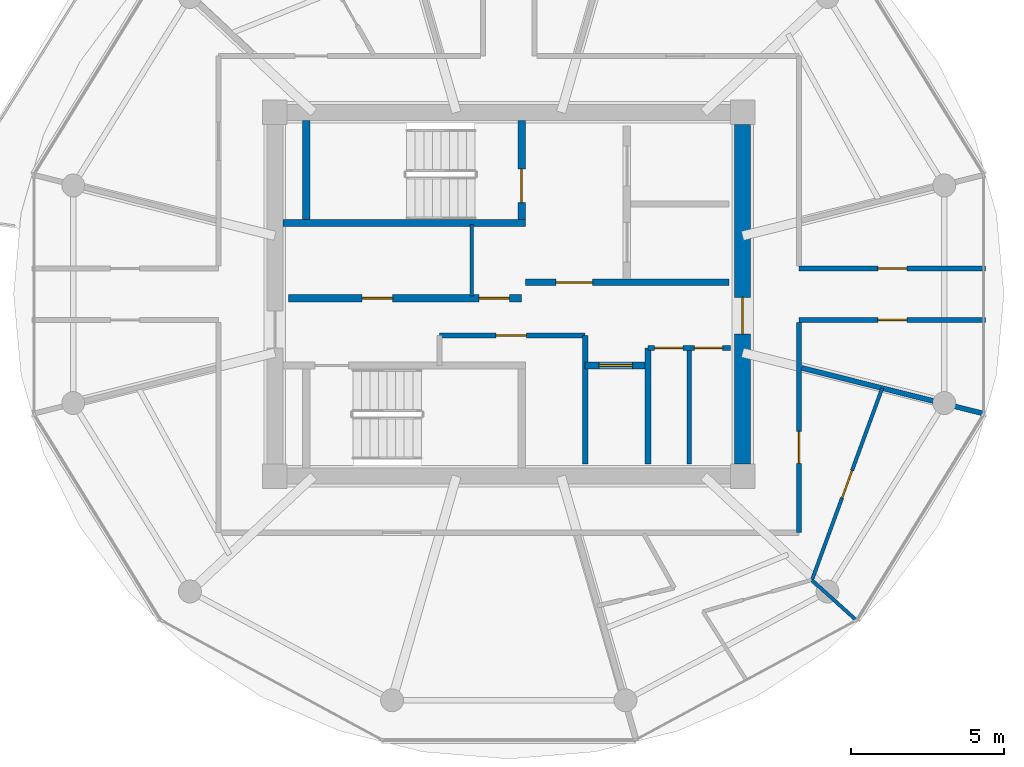
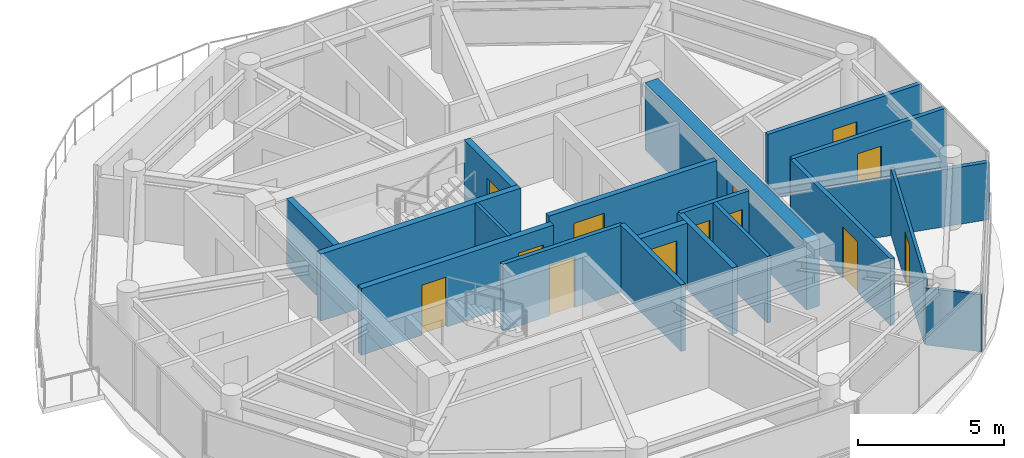
# One storey, part 12 of 19: 19 walls, 13 doors, 13 openings.
"""IFC4 building model written with IfcOpenShell, lengths in metres."""

from ifc_helpers import new_model, si_unit, direction, frame, frame_2d, origin, place, context, subcontext, project, spatial, rectangle, extrude, source, transform, mapped, material, layer, layer_set, type_object, type_shapes, element, fill, save


model = new_model("IFC4")

# Units and contexts
model_context = context("Model", 3, precision=1e-05, world=origin(), true_north=direction((0.0, 1.0)))
body_context = subcontext(model_context, "Body", "Model", "MODEL_VIEW")
ifc_project = project(units=[si_unit("LENGTHUNIT", "METRE"), si_unit("AREAUNIT", "SQUARE_METRE"), si_unit("VOLUMEUNIT", "CUBIC_METRE"), si_unit("PLANEANGLEUNIT", "RADIAN"), si_unit("MASSUNIT", "GRAM", prefix="KILO")], contexts=[model_context])

# Site, building, storey
site_placement = place(None, origin())
site = spatial("IfcSite", under=ifc_project, at=site_placement, CompositionType="ELEMENT")
building_placement = place(site_placement, origin())
building = spatial("IfcBuilding", under=site, at=building_placement, Name="Norrkilde Senior Care Towers", CompositionType="ELEMENT")
storey_placement = place(building_placement, frame((0.0, 0.0, 238.300048828125)))
storey = spatial("IfcBuildingStorey", under=building, at=storey_placement, Name="L74", CompositionType="ELEMENT", Elevation=238.300048828125)

# Wall, opening, door
ifc_material_1 = material(Name="Concrete C50/60", Category="concrete")
ifc_layer_1 = layer(ifc_material_1, 0.52001953125)
ifc_layer_set_1 = layer_set([ifc_layer_1], Name="Concrete C50/60")
wall_type_1 = type_object("IfcWallType", Name="Core Shear Wall Z4 520", PredefinedType="SHEAR", material=ifc_layer_set_1)
shared_shape_1 = source(origin(), body_context, "Body", "SweptSolid", [
    extrude(rectangle(XDim=11.10009765625, YDim=0.52001953125, at=frame_2d((5.550048828125, 0.0))), origin(), (0.0, 0.0, 1.0), 2.81005859375),
])
type_shapes(wall_type_1, [shared_shape_1])
wall_1_placement = place(storey_placement, frame((35.64990234375, 5.550048828125, 0.0), z_axis=(0.0, 0.0, 1.0), x_axis=(0.0, -1.0, 0.0)))
wall_1 = element("IfcWall", 1, at=wall_1_placement, inside=storey, type_object=wall_type_1, Name="L74 Core E East Shear Wall", PredefinedType="SHEAR", context=body_context, shape_type="MappedRepresentation", body=[
    mapped(shared_shape_1, transform((0.0, 0.0, 0.0), x_axis=(1.0, 0.0, 0.0), y_axis=(0.0, 1.0, 0.0), z_axis=(0.0, 0.0, 1.0), scale=1.0)),
])
opening_1_placement = place(wall_1_placement, frame((5.64990234375, 0.0, 0.0)))
opening_1 = element("IfcOpeningElement", 2, at=opening_1_placement, cuts=wall_1, Name="Opening D-04", PredefinedType="OPENING", context=body_context, shape_type="SweptSolid", body=[
    extrude(rectangle(XDim=1.199951171875, YDim=2.14990234375, at=frame_2d((0.60009765625, 1.074951171875))), frame((0.0, 0.27001953125, 0.0), z_axis=(0.0, -1.0, 0.0), x_axis=(1.0, 0.0, 0.0)), (0.0, 0.0, 1.0), 0.5400390625),
])
ifc_material_2 = material(Name="Galvanised Painted Steel", Category="steel")
door_type_1 = type_object("IfcDoorType", Name="Firefighting Lobby Fire Door 1200x2150", OperationType="NOTDEFINED", PredefinedType="DOOR", material=ifc_material_2)
shared_shape_2 = source(origin(), body_context, "Body", "SweptSolid", [
    extrude(rectangle(XDim=1.199951171875, YDim=2.14990234375, at=frame_2d((0.60009765625, 1.074951171875))), frame((0.0, 0.02490234375, 0.0), z_axis=(0.0, -1.0, 0.0), x_axis=(1.0, 0.0, 0.0)), (0.0, 0.0, 1.0), 0.050048828125),
])
type_shapes(door_type_1, [shared_shape_2])
door_1_placement = place(opening_1_placement, frame((1.199951171875, 0.0, 0.0), z_axis=(0.0, 0.0, 1.0), x_axis=(-1.0, 0.0, 0.0)))
door_1 = element("IfcDoor", 3, at=door_1_placement, inside=storey, type_object=door_type_1, Name="L74 Core E East Portal Door", OperationType="SINGLE_SWING_RIGHT", OverallHeight=2.14990234375, OverallWidth=1.199951171875, PredefinedType="DOOR", context=body_context, shape_type="MappedRepresentation", body=[
    mapped(shared_shape_2, transform((0.0, 0.0, 0.0), x_axis=(1.0, 0.0, 0.0), y_axis=(0.0, 1.0, 0.0), z_axis=(0.0, 0.0, 1.0), scale=1.0)),
])
fill(opening_1, door_1)

ifc_material_3 = material(Name="Concrete C45/55", Category="concrete")
ifc_layer_2 = layer(ifc_material_3, 0.2099609375)
ifc_layer_set_2 = layer_set([ifc_layer_2], Name="Concrete C45/55")
wall_type_2 = type_object("IfcWallType", Name="Firefighting Lobby Wall 210", PredefinedType="PARTITIONING", material=ifc_layer_set_2)
shared_shape_3 = source(origin(), body_context, "Body", "SweptSolid", [
    extrude(rectangle(XDim=6.659912109375, YDim=0.2099609375, at=frame_2d((3.330078125, 0.0))), origin(), (0.0, 0.0, 1.0), 2.794921875),
])
type_shapes(wall_type_2, [shared_shape_3])
wall_2_placement = place(storey_placement, frame((28.5400390625, 0.389892578125, 0.0), z_axis=(0.0, 0.0, 1.0), x_axis=(1.0, 0.0, 0.0)))
wall_2 = element("IfcWall", 4, at=wall_2_placement, inside=storey, type_object=wall_type_2, Name="WL-INT-L74-E-FFLS", PredefinedType="PARTITIONING", context=body_context, shape_type="MappedRepresentation", body=[
    mapped(shared_shape_3, transform((0.0, 0.0, 0.0), x_axis=(1.0, 0.0, 0.0), y_axis=(0.0, 1.0, 0.0), z_axis=(0.0, 0.0, 1.0), scale=1.0)),
])
opening_2_placement = place(wall_2_placement, frame((1.0, 0.0, 0.0)))
opening_2 = element("IfcOpeningElement", 5, at=opening_2_placement, cuts=wall_2, Name="Opening D-04", PredefinedType="OPENING", context=body_context, shape_type="SweptSolid", body=[
    extrude(rectangle(XDim=1.199951171875, YDim=2.14990234375, at=frame_2d((0.60009765625, 1.074951171875))), frame((0.0, 0.114990234375, 0.0), z_axis=(0.0, -1.0, 0.0), x_axis=(1.0, 0.0, 0.0)), (0.0, 0.0, 1.0), 0.22998046875),
])
door_2_placement = place(opening_2_placement, frame((1.199951171875, 0.0, 0.0), z_axis=(0.0, 0.0, 1.0), x_axis=(-1.0, 0.0, 0.0)))
door_2 = element("IfcDoor", 6, at=door_2_placement, inside=storey, type_object=door_type_1, Name="L74 Firefighting Lobby E Door", OperationType="SINGLE_SWING_LEFT", OverallHeight=2.14990234375, OverallWidth=1.199951171875, PredefinedType="DOOR", context=body_context, shape_type="MappedRepresentation", body=[
    mapped(shared_shape_2, transform((0.0, 0.0, 0.0), x_axis=(1.0, 0.0, 0.0), y_axis=(0.0, 1.0, 0.0), z_axis=(0.0, 0.0, 1.0), scale=1.0)),
])
fill(opening_2, door_2)

# Wall, openings, doors
ifc_layer_3 = layer(ifc_material_3, 0.239990234375)
ifc_layer_set_3 = layer_set([ifc_layer_3], Name="Concrete C45/55")
wall_type_3 = type_object("IfcWallType", Name="Lift and Plant Rated Enclosure Partition 240", PredefinedType="PARTITIONING", material=ifc_layer_set_3)
shared_shape_4 = source(origin(), body_context, "Body", "SweptSolid", [
    extrude(rectangle(XDim=7.619873046875, YDim=0.239990234375, at=frame_2d((3.81005859375, 0.0))), origin(), (0.0, 0.0, 1.0), 2.794921875),
])
wall_3_placement = place(storey_placement, frame((20.800048828125, -0.1298828125, 0.0), z_axis=(0.0, 0.0, 1.0), x_axis=(1.0, 0.0, 0.0)))
wall_3 = element("IfcWall", 7, at=wall_3_placement, inside=storey, type_object=wall_type_3, Name="WL-INT-L74-E-PKAS", PredefinedType="PARTITIONING", context=body_context, shape_type="MappedRepresentation", body=[
    mapped(shared_shape_4, transform((0.0, 0.0, 0.0), x_axis=(1.0, 0.0, 0.0), y_axis=(0.0, 1.0, 0.0), z_axis=(0.0, 0.0, 1.0), scale=1.0)),
])
opening_3_placement = place(wall_3_placement, frame((6.219970703125, 0.0, 0.0)))
opening_3 = element("IfcOpeningElement", 8, at=opening_3_placement, cuts=wall_3, Name="Opening D-10", PredefinedType="OPENING", context=body_context, shape_type="SweptSolid", body=[
    extrude(rectangle(XDim=1.0, YDim=2.10009765625, at=frame_2d((0.5, 1.050048828125))), frame((0.0, 0.1298828125, 0.0), z_axis=(0.0, -1.0, 0.0), x_axis=(1.0, 0.0, 0.0)), (0.0, 0.0, 1.0), 0.260009765625),
])
opening_4_placement = place(wall_3_placement, frame((2.39990234375, 0.0, 0.0)))
opening_4 = element("IfcOpeningElement", 9, at=opening_4_placement, cuts=wall_3, Name="Opening D-10", PredefinedType="OPENING", context=body_context, shape_type="SweptSolid", body=[
    extrude(rectangle(XDim=1.0, YDim=2.10009765625, at=frame_2d((0.5, 1.050048828125))), frame((0.0, 0.1298828125, 0.0), z_axis=(0.0, -1.0, 0.0), x_axis=(1.0, 0.0, 0.0)), (0.0, 0.0, 1.0), 0.260009765625),
])
door_type_2 = type_object("IfcDoorType", Name="Plant and Riser Rated Door 1000x2100", OperationType="NOTDEFINED", PredefinedType="DOOR", material=ifc_material_2)
shared_shape_5 = source(origin(), body_context, "Body", "SweptSolid", [
    extrude(rectangle(XDim=1.0, YDim=2.10009765625, at=frame_2d((0.5, 1.050048828125))), frame((0.0, 0.02490234375, 0.0), z_axis=(0.0, -1.0, 0.0), x_axis=(1.0, 0.0, 0.0)), (0.0, 0.0, 1.0), 0.050048828125),
])
type_shapes(door_type_2, [shared_shape_5])
door_3_placement = place(opening_3_placement, frame((1.0, 0.0, 0.0), z_axis=(0.0, 0.0, 1.0), x_axis=(-1.0, 0.0, 0.0)))
door_3 = element("IfcDoor", 10, at=door_3_placement, inside=storey, type_object=door_type_2, Name="L74 Electrical Riser E Door", OperationType="SINGLE_SWING_LEFT", OverallHeight=2.10009765625, OverallWidth=1.0, PredefinedType="DOOR", context=body_context, shape_type="MappedRepresentation", body=[
    mapped(shared_shape_5, transform((0.0, 0.0, 0.0), x_axis=(1.0, 0.0, 0.0), y_axis=(0.0, 1.0, 0.0), z_axis=(0.0, 0.0, 1.0), scale=1.0)),
])
fill(opening_3, door_3)
door_4_placement = place(opening_4_placement, frame((1.0, 0.0, 0.0), z_axis=(0.0, 0.0, 1.0), x_axis=(-1.0, 0.0, 0.0)))
door_4 = element("IfcDoor", 11, at=door_4_placement, inside=storey, type_object=door_type_2, Name="L74 Clean Supply Store E Door", OperationType="SINGLE_SWING_LEFT", OverallHeight=2.10009765625, OverallWidth=1.0, PredefinedType="DOOR", context=body_context, shape_type="MappedRepresentation", body=[
    mapped(shared_shape_5, transform((0.0, 0.0, 0.0), x_axis=(1.0, 0.0, 0.0), y_axis=(0.0, 1.0, 0.0), z_axis=(0.0, 0.0, 1.0), scale=1.0)),
])
fill(opening_4, door_4)

# Walls
ifc_material_4 = material(Name="Gypsum Acoustic Board")
ifc_layer_4 = layer(ifc_material_4, 0.114990234375)
ifc_layer_set_4 = layer_set([ifc_layer_4], Name="Gypsum Acoustic Board")
wall_type_4 = type_object("IfcWallType", Name="Internal Room Partition 115", PredefinedType="PARTITIONING", material=ifc_layer_set_4)
shared_shape_6 = source(origin(), body_context, "Body", "SweptSolid", [
    extrude(rectangle(XDim=2.330078125, YDim=0.114990234375, at=frame_2d((1.1650390625, 0.0))), origin(), (0.0, 0.0, 1.0), 2.794921875),
])
wall_4_placement = place(storey_placement, frame((26.7900390625, -0.050048828125, 0.0), z_axis=(0.0, 0.0, 1.0), x_axis=(0.0, 1.0, 0.0)))
element("IfcWall", 12, at=wall_4_placement, inside=storey, type_object=wall_type_4, Name="WL-INT-L74-E-RISW", PredefinedType="PARTITIONING", context=body_context, shape_type="MappedRepresentation", body=[
    mapped(shared_shape_6, transform((0.0, 0.0, 0.0), x_axis=(1.0, 0.0, 0.0), y_axis=(0.0, 1.0, 0.0), z_axis=(0.0, 0.0, 1.0), scale=1.0)),
])
ifc_layer_5 = layer(ifc_material_3, 0.199951171875)
ifc_layer_set_5 = layer_set([ifc_layer_5], Name="Concrete C45/55")
wall_type_5 = type_object("IfcWallType", Name="Shaft Division and Plant Partition 200", PredefinedType="PARTITIONING", material=ifc_layer_set_5)
shared_shape_7 = source(origin(), body_context, "Body", "SweptSolid", [
    extrude(rectangle(XDim=3.800048828125, YDim=0.199951171875, at=frame_2d((1.89990234375, 0.0))), origin(), (0.0, 0.0, 1.0), 2.794921875),
])
type_shapes(wall_type_5, [shared_shape_7])
wall_5_placement = place(storey_placement, frame((32.550048828125, -5.550048828125, 0.0), z_axis=(0.0, 0.0, 1.0), x_axis=(0.0, 1.0, 0.0)))
element("IfcWall", 13, at=wall_5_placement, inside=storey, type_object=wall_type_5, Name="WL-INT-L74-E-PKBE", PredefinedType="PARTITIONING", context=body_context, shape_type="MappedRepresentation", body=[
    mapped(shared_shape_7, transform((0.0, 0.0, 0.0), x_axis=(1.0, 0.0, 0.0), y_axis=(0.0, 1.0, 0.0), z_axis=(0.0, 0.0, 1.0), scale=1.0)),
])

# Wall, openings, doors
ifc_layer_6 = layer(ifc_material_4, 0.1650390625)
ifc_layer_set_6 = layer_set([ifc_layer_6], Name="Gypsum Acoustic Board")
wall_type_6 = type_object("IfcWallType", Name="Corridor Rated Partition 165", PredefinedType="PARTITIONING", material=ifc_layer_set_6)
shared_shape_8 = source(origin(), body_context, "Body", "SweptSolid", [
    extrude(rectangle(XDim=2.699951171875, YDim=0.1650390625, at=frame_2d((1.35009765625, 0.0))), origin(), (0.0, 0.0, 1.0), 2.794921875),
])
wall_6_placement = place(storey_placement, frame((32.550048828125, -1.75, 0.0), z_axis=(0.0, 0.0, 1.0), x_axis=(1.0, 0.0, 0.0)))
wall_6 = element("IfcWall", 14, at=wall_6_placement, inside=storey, type_object=wall_type_6, Name="WL-INT-L74-E-CSN", PredefinedType="PARTITIONING", context=body_context, shape_type="MappedRepresentation", body=[
    mapped(shared_shape_8, transform((0.0, 0.0, 0.0), x_axis=(1.0, 0.0, 0.0), y_axis=(0.0, 1.0, 0.0), z_axis=(0.0, 0.0, 1.0), scale=1.0)),
])
opening_5_placement = place(wall_6_placement, frame((0.222412109375, 0.0, 0.0)))
opening_5 = element("IfcOpeningElement", 15, at=opening_5_placement, cuts=wall_6, Name="Opening D-12", PredefinedType="OPENING", context=body_context, shape_type="SweptSolid", body=[
    extrude(rectangle(XDim=0.925048828125, YDim=2.10009765625, at=frame_2d((0.46240234375, 1.050048828125))), frame((0.0, 0.092529296875, 0.0), z_axis=(0.0, -1.0, 0.0), x_axis=(1.0, 0.0, 0.0)), (0.0, 0.0, 1.0), 0.18505859375),
])
opening_6_placement = place(wall_6_placement, frame((1.5224609375, 0.0, 0.0)))
opening_6 = element("IfcOpeningElement", 16, at=opening_6_placement, cuts=wall_6, Name="Opening D-12", PredefinedType="OPENING", context=body_context, shape_type="SweptSolid", body=[
    extrude(rectangle(XDim=0.925048828125, YDim=2.10009765625, at=frame_2d((0.46240234375, 1.050048828125))), frame((0.0, 0.092529296875, 0.0), z_axis=(0.0, -1.0, 0.0), x_axis=(1.0, 0.0, 0.0)), (0.0, 0.0, 1.0), 0.18505859375),
])
door_type_3 = type_object("IfcDoorType", Name="Core Wet Room Rated Door 925x2100", OperationType="NOTDEFINED", PredefinedType="DOOR", material=ifc_material_2)
shared_shape_9 = source(origin(), body_context, "Body", "SweptSolid", [
    extrude(rectangle(XDim=0.925048828125, YDim=2.10009765625, at=frame_2d((0.46240234375, 1.050048828125))), frame((0.0, 0.02490234375, 0.0), z_axis=(0.0, -1.0, 0.0), x_axis=(1.0, 0.0, 0.0)), (0.0, 0.0, 1.0), 0.050048828125),
])
type_shapes(door_type_3, [shared_shape_9])
door_5_placement = place(opening_5_placement, origin())
door_5 = element("IfcDoor", 17, at=door_5_placement, inside=storey, type_object=door_type_3, Name="L74 Staff Accessible WC E Door", OperationType="SINGLE_SWING_LEFT", OverallHeight=2.10009765625, OverallWidth=0.925048828125, PredefinedType="DOOR", context=body_context, shape_type="MappedRepresentation", body=[
    mapped(shared_shape_9, transform((0.0, 0.0, 0.0), x_axis=(1.0, 0.0, 0.0), y_axis=(0.0, 1.0, 0.0), z_axis=(0.0, 0.0, 1.0), scale=1.0)),
])
fill(opening_5, door_5)
door_6_placement = place(opening_6_placement, origin())
door_6 = element("IfcDoor", 18, at=door_6_placement, inside=storey, type_object=door_type_3, Name="L74 Housekeeping Store E Door", OperationType="SINGLE_SWING_RIGHT", OverallHeight=2.10009765625, OverallWidth=0.925048828125, PredefinedType="DOOR", context=body_context, shape_type="MappedRepresentation", body=[
    mapped(shared_shape_9, transform((0.0, 0.0, 0.0), x_axis=(1.0, 0.0, 0.0), y_axis=(0.0, 1.0, 0.0), z_axis=(0.0, 0.0, 1.0), scale=1.0)),
])
fill(opening_6, door_6)

# Wall
ifc_layer_7 = layer(ifc_material_4, 0.139892578125)
ifc_layer_set_7 = layer_set([ifc_layer_7], Name="Gypsum Acoustic Board")
wall_type_7 = type_object("IfcWallType", Name="En-suite Wet Room Wall 140", PredefinedType="PARTITIONING", material=ifc_layer_set_7)
shared_shape_10 = source(origin(), body_context, "Body", "SweptSolid", [
    extrude(rectangle(XDim=3.800048828125, YDim=0.139892578125, at=frame_2d((1.89990234375, 0.0))), origin(), (0.0, 0.0, 1.0), 2.794921875),
])
type_shapes(wall_type_7, [shared_shape_10])
wall_7_placement = place(storey_placement, frame((33.89990234375, -5.550048828125, 0.0), z_axis=(0.0, 0.0, 1.0), x_axis=(0.0, 1.0, 0.0)))
element("IfcWall", 19, at=wall_7_placement, inside=storey, type_object=wall_type_7, Name="WL-INT-L74-E-CS1V", PredefinedType="PARTITIONING", context=body_context, shape_type="MappedRepresentation", body=[
    mapped(shared_shape_10, transform((0.0, 0.0, 0.0), x_axis=(1.0, 0.0, 0.0), y_axis=(0.0, 1.0, 0.0), z_axis=(0.0, 0.0, 1.0), scale=1.0)),
])

# Wall, opening, door
shared_shape_11 = source(origin(), body_context, "Body", "SweptSolid", [
    extrude(rectangle(XDim=2.050048828125, YDim=0.239990234375, at=frame_2d((1.02490234375, 0.0))), origin(), (0.0, 0.0, 1.0), 2.794921875),
])
type_shapes(wall_type_3, [shared_shape_4, shared_shape_11])
wall_8_placement = place(storey_placement, frame((30.5, -2.330078125, 0.0), z_axis=(0.0, 0.0, 1.0), x_axis=(1.0, 0.0, 0.0)))
wall_8 = element("IfcWall", 20, at=wall_8_placement, inside=storey, type_object=wall_type_3, Name="WL-INT-L74-E-PL4N", PredefinedType="PARTITIONING", context=body_context, shape_type="MappedRepresentation", body=[
    mapped(shared_shape_11, transform((0.0, 0.0, 0.0), x_axis=(1.0, 0.0, 0.0), y_axis=(0.0, 1.0, 0.0), z_axis=(0.0, 0.0, 1.0), scale=1.0)),
])
opening_7_placement = place(wall_8_placement, frame((0.449951171875, 0.0, 0.0)))
opening_7 = element("IfcOpeningElement", 21, at=opening_7_placement, cuts=wall_8, Name="Opening LD-01", PredefinedType="OPENING", context=body_context, shape_type="SweptSolid", body=[
    extrude(rectangle(XDim=1.10009765625, YDim=2.199951171875, at=frame_2d((0.550048828125, 1.10009765625))), frame((0.0, 0.1298828125, 0.0), z_axis=(0.0, -1.0, 0.0), x_axis=(1.0, 0.0, 0.0)), (0.0, 0.0, 1.0), 0.260009765625),
])
ifc_material_5 = material(Name="Stainless Steel", Category="steel")
door_type_4 = type_object("IfcDoorType", Name="Lift Landing Sliding Door 1100x2200", OperationType="NOTDEFINED", PredefinedType="DOOR", material=ifc_material_5)
shared_shape_12 = source(origin(), body_context, "Body", "SweptSolid", [
    extrude(rectangle(XDim=1.10009765625, YDim=2.199951171875, at=frame_2d((0.550048828125, 1.10009765625))), frame((0.0, 0.02490234375, 0.0), z_axis=(0.0, -1.0, 0.0), x_axis=(1.0, 0.0, 0.0)), (0.0, 0.0, 1.0), 0.050048828125),
])
type_shapes(door_type_4, [shared_shape_12])
door_7_placement = place(opening_7_placement, frame((1.10009765625, 0.0, 0.0), z_axis=(0.0, 0.0, 1.0), x_axis=(-1.0, 0.0, 0.0)))
door_7 = element("IfcDoor", 22, at=door_7_placement, inside=storey, type_object=door_type_4, Name="L74 Passenger Lift E4 Landing Door", OperationType="SLIDING_TO_RIGHT", OverallHeight=2.199951171875, OverallWidth=1.10009765625, PredefinedType="DOOR", context=body_context, shape_type="MappedRepresentation", body=[
    mapped(shared_shape_12, transform((0.0, 0.0, 0.0), x_axis=(1.0, 0.0, 0.0), y_axis=(0.0, 1.0, 0.0), z_axis=(0.0, 0.0, 1.0), scale=1.0)),
])
fill(opening_7, door_7)

# Wall
ifc_layer_8 = layer(ifc_material_3, 0.179931640625)
ifc_layer_set_8 = layer_set([ifc_layer_8], Name="Concrete C45/55")
wall_type_8 = type_object("IfcWallType", Name="Hoistway Division Rated Partition 180", PredefinedType="PARTITIONING", material=ifc_layer_set_8)
shared_shape_13 = source(origin(), body_context, "Body", "SweptSolid", [
    extrude(rectangle(XDim=4.199951171875, YDim=0.179931640625, at=frame_2d((2.10009765625, 0.0))), origin(), (0.0, 0.0, 1.0), 2.794921875),
])
type_shapes(wall_type_8, [shared_shape_13])
wall_9_placement = place(storey_placement, frame((30.5, -5.550048828125, 0.0), z_axis=(0.0, 0.0, 1.0), x_axis=(0.0, 1.0, 0.0)))
element("IfcWall", 23, at=wall_9_placement, inside=storey, type_object=wall_type_8, Name="WL-INT-L74-E-PL4W", PredefinedType="PARTITIONING", context=body_context, shape_type="MappedRepresentation", body=[
    mapped(shared_shape_13, transform((0.0, 0.0, 0.0), x_axis=(1.0, 0.0, 0.0), y_axis=(0.0, 1.0, 0.0), z_axis=(0.0, 0.0, 1.0), scale=1.0)),
])

# Wall, opening, door
shared_shape_14 = source(origin(), body_context, "Body", "SweptSolid", [
    extrude(rectangle(XDim=4.77001953125, YDim=0.1650390625, at=frame_2d((2.385009765625, 0.0))), origin(), (0.0, 0.0, 1.0), 2.794921875),
])
wall_10_placement = place(storey_placement, frame((25.72998046875, -1.35009765625, 0.0), z_axis=(0.0, 0.0, 1.0), x_axis=(1.0, 0.0, 0.0)))
wall_10 = element("IfcWall", 24, at=wall_10_placement, inside=storey, type_object=wall_type_6, Name="WL-INT-L74-E-FR2N", PredefinedType="PARTITIONING", context=body_context, shape_type="MappedRepresentation", body=[
    mapped(shared_shape_14, transform((0.0, 0.0, 0.0), x_axis=(1.0, 0.0, 0.0), y_axis=(0.0, 1.0, 0.0), z_axis=(0.0, 0.0, 1.0), scale=1.0)),
])
opening_8_placement = place(wall_10_placement, frame((1.85009765625, 0.0, 0.0)))
opening_8 = element("IfcOpeningElement", 25, at=opening_8_placement, cuts=wall_10, Name="Opening D-10", PredefinedType="OPENING", context=body_context, shape_type="SweptSolid", body=[
    extrude(rectangle(XDim=1.0, YDim=2.10009765625, at=frame_2d((0.5, 1.050048828125))), frame((0.0, 0.092529296875, 0.0), z_axis=(0.0, -1.0, 0.0), x_axis=(1.0, 0.0, 0.0)), (0.0, 0.0, 1.0), 0.18505859375),
])
door_8_placement = place(opening_8_placement, origin())
door_8 = element("IfcDoor", 26, at=door_8_placement, inside=storey, type_object=door_type_2, Name="L74 Core Pantry E Door", OperationType="SINGLE_SWING_RIGHT", OverallHeight=2.10009765625, OverallWidth=1.0, PredefinedType="DOOR", context=body_context, shape_type="MappedRepresentation", body=[
    mapped(shared_shape_5, transform((0.0, 0.0, 0.0), x_axis=(1.0, 0.0, 0.0), y_axis=(0.0, 1.0, 0.0), z_axis=(0.0, 0.0, 1.0), scale=1.0)),
])
fill(opening_8, door_8)

shared_shape_15 = source(origin(), body_context, "Body", "SweptSolid", [
    extrude(rectangle(XDim=6.880126953125, YDim=0.1650390625, at=frame_2d((3.43994140625, 0.0))), origin(), (0.0, 0.0, 1.0), 2.794921875),
])
wall_11_placement = place(storey_placement, frame((37.5, -0.919921875, 0.0), z_axis=(0.0, 0.0, 1.0), x_axis=(0.0, -1.0, 0.0)))
wall_11 = element("IfcWall", 27, at=wall_11_placement, inside=storey, type_object=wall_type_6, Name="WL-INT-L74-E-CRW-E-1", PredefinedType="PARTITIONING", context=body_context, shape_type="MappedRepresentation", body=[
    mapped(shared_shape_15, transform((0.0, 0.0, 0.0), x_axis=(1.0, 0.0, 0.0), y_axis=(0.0, 1.0, 0.0), z_axis=(0.0, 0.0, 1.0), scale=1.0)),
])
opening_9_placement = place(wall_11_placement, frame((3.564208984375, 0.0, 0.0)))
opening_9 = element("IfcOpeningElement", 28, at=opening_9_placement, cuts=wall_11, Name="Opening D-06", PredefinedType="OPENING", context=body_context, shape_type="SweptSolid", body=[
    extrude(rectangle(XDim=1.050048828125, YDim=2.14990234375, at=frame_2d((0.52490234375, 1.074951171875))), frame((0.0, 0.092529296875, 0.0), z_axis=(0.0, -1.0, 0.0), x_axis=(1.0, 0.0, 0.0)), (0.0, 0.0, 1.0), 0.18505859375),
])
ifc_material_6 = material(Name="Nordic Ash Timber", Category="wood")
door_type_5 = type_object("IfcDoorType", Name="Apartment Entrance Fire Door 1050x2150", OperationType="NOTDEFINED", PredefinedType="DOOR", material=ifc_material_6)
shared_shape_16 = source(origin(), body_context, "Body", "SweptSolid", [
    extrude(rectangle(XDim=1.050048828125, YDim=2.14990234375, at=frame_2d((0.52490234375, 1.074951171875))), frame((0.0, 0.02490234375, 0.0), z_axis=(0.0, -1.0, 0.0), x_axis=(1.0, 0.0, 0.0)), (0.0, 0.0, 1.0), 0.050048828125),
])
type_shapes(door_type_5, [shared_shape_16])
door_9_placement = place(opening_9_placement, frame((1.050048828125, 0.0, 0.0), z_axis=(0.0, 0.0, 1.0), x_axis=(-1.0, 0.0, 0.0)))
door_9 = element("IfcDoor", 29, at=door_9_placement, inside=storey, type_object=door_type_5, Name="Apartment 74E Entrance Door", OperationType="SINGLE_SWING_RIGHT", OverallHeight=2.14990234375, OverallWidth=1.050048828125, PredefinedType="DOOR", context=body_context, shape_type="MappedRepresentation", body=[
    mapped(shared_shape_16, transform((0.0, 0.0, 0.0), x_axis=(1.0, 0.0, 0.0), y_axis=(0.0, 1.0, 0.0), z_axis=(0.0, 0.0, 1.0), scale=1.0)),
])
fill(opening_9, door_9)

# Walls
ifc_layer_9 = layer(ifc_material_3, 0.239990234375)
ifc_layer_set_9 = layer_set([ifc_layer_9], Name="Concrete C45/55")
wall_type_9 = type_object("IfcWallType", Name="Shaft and Stair Enclosure Wall 240", PredefinedType="PARTITIONING", material=ifc_layer_set_9)
shared_shape_17 = source(origin(), body_context, "Body", "SweptSolid", [
    extrude(rectangle(XDim=7.929931640625, YDim=0.239990234375, at=frame_2d((3.96484375, 0.0))), origin(), (0.0, 0.0, 1.0), 2.81005859375),
])
wall_12_placement = place(storey_placement, frame((20.610107421875, 2.330078125, 0.0), z_axis=(0.0, 0.0, 1.0), x_axis=(1.0, 0.0, 0.0)))
element("IfcWall", 30, at=wall_12_placement, inside=storey, type_object=wall_type_9, Name="WL-INT-L74-E-ST1S", PredefinedType="PARTITIONING", context=body_context, shape_type="MappedRepresentation", body=[
    mapped(shared_shape_17, transform((0.0, 0.0, 0.0), x_axis=(1.0, 0.0, 0.0), y_axis=(0.0, 1.0, 0.0), z_axis=(0.0, 0.0, 1.0), scale=1.0)),
])
shared_shape_18 = source(origin(), body_context, "Body", "SweptSolid", [
    extrude(rectangle(XDim=3.239990234375, YDim=0.239990234375, at=frame_2d((1.6201171875, 0.0))), origin(), (0.0, 0.0, 1.0), 2.81005859375),
])
type_shapes(wall_type_9, [shared_shape_17, shared_shape_18])
wall_13_placement = place(storey_placement, frame((21.3798828125, 2.449951171875, 0.0), z_axis=(0.0, 0.0, 1.0), x_axis=(0.0, 1.0, 0.0)))
element("IfcWall", 31, at=wall_13_placement, inside=storey, type_object=wall_type_9, Name="WL-INT-L74-E-ST1W", PredefinedType="PARTITIONING", context=body_context, shape_type="MappedRepresentation", body=[
    mapped(shared_shape_18, transform((0.0, 0.0, 0.0), x_axis=(1.0, 0.0, 0.0), y_axis=(0.0, 1.0, 0.0), z_axis=(0.0, 0.0, 1.0), scale=1.0)),
])

# Wall, opening, door
wall_14_placement = place(storey_placement, frame((28.419921875, 2.449951171875, 0.0), z_axis=(0.0, 0.0, 1.0), x_axis=(0.0, 1.0, 0.0)))
wall_14 = element("IfcWall", 32, at=wall_14_placement, inside=storey, type_object=wall_type_9, Name="WL-INT-L74-E-ST1E", PredefinedType="PARTITIONING", context=body_context, shape_type="MappedRepresentation", body=[
    mapped(shared_shape_18, transform((0.0, 0.0, 0.0), x_axis=(1.0, 0.0, 0.0), y_axis=(0.0, 1.0, 0.0), z_axis=(0.0, 0.0, 1.0), scale=1.0)),
])
opening_10_placement = place(wall_14_placement, frame((0.550048828125, 0.0, 0.0)))
opening_10 = element("IfcOpeningElement", 33, at=opening_10_placement, cuts=wall_14, Name="Opening D-03", PredefinedType="OPENING", context=body_context, shape_type="SweptSolid", body=[
    extrude(rectangle(XDim=1.10009765625, YDim=2.14990234375, at=frame_2d((0.550048828125, 1.074951171875))), frame((0.0, 0.1298828125, 0.0), z_axis=(0.0, -1.0, 0.0), x_axis=(1.0, 0.0, 0.0)), (0.0, 0.0, 1.0), 0.260009765625),
])
door_type_6 = type_object("IfcDoorType", Name="Stairwell Protected Fire Door 1100x2150", OperationType="NOTDEFINED", PredefinedType="DOOR", material=ifc_material_2)
shared_shape_19 = source(origin(), body_context, "Body", "SweptSolid", [
    extrude(rectangle(XDim=1.10009765625, YDim=2.14990234375, at=frame_2d((0.550048828125, 1.074951171875))), frame((0.0, 0.02490234375, 0.0), z_axis=(0.0, -1.0, 0.0), x_axis=(1.0, 0.0, 0.0)), (0.0, 0.0, 1.0), 0.050048828125),
])
type_shapes(door_type_6, [shared_shape_19])
door_10_placement = place(opening_10_placement, origin())
door_10 = element("IfcDoor", 34, at=door_10_placement, inside=storey, type_object=door_type_6, Name="L74 Stair E1 Fire Door", OperationType="SINGLE_SWING_LEFT", OverallHeight=2.14990234375, OverallWidth=1.10009765625, PredefinedType="DOOR", context=body_context, shape_type="MappedRepresentation", body=[
    mapped(shared_shape_19, transform((0.0, 0.0, 0.0), x_axis=(1.0, 0.0, 0.0), y_axis=(0.0, 1.0, 0.0), z_axis=(0.0, 0.0, 1.0), scale=1.0)),
])
fill(opening_10, door_10)

# Walls
shared_shape_20 = source(origin(), body_context, "Body", "SweptSolid", [
    extrude(rectangle(XDim=6.1572265625, YDim=0.1650390625, at=frame_2d((3.07861328125, 0.0))), origin(), (0.0, 0.0, 1.0), 2.39501953125),
])
wall_15_placement = place(storey_placement, frame((37.580078125, -2.407470703125, 0.0), z_axis=(0.0, 0.0, 1.0), x_axis=(0.969840867184, -0.243738984038, 0.0)))
element("IfcWall", 35, at=wall_15_placement, inside=storey, type_object=wall_type_6, Name="WL-INT-L74-E-DEM-11-0", PredefinedType="PARTITIONING", context=body_context, shape_type="MappedRepresentation", body=[
    mapped(shared_shape_20, transform((0.0, 0.0, 0.0), x_axis=(1.0, 0.0, 0.0), y_axis=(0.0, 1.0, 0.0), z_axis=(0.0, 0.0, 1.0), scale=1.0)),
])
shared_shape_21 = source(origin(), body_context, "Body", "SweptSolid", [
    extrude(rectangle(XDim=1.977294921875, YDim=0.114990234375, at=frame_2d((0.98876953125, 0.0))), origin(), (0.0, 0.0, 1.0), 2.39501953125),
])
wall_16_placement = place(storey_placement, frame((37.917236328125, -9.351806640625, 0.0), z_axis=(0.0, 0.0, 1.0), x_axis=(0.742064998629, -0.670327933037, 0.0)))
element("IfcWall", 36, at=wall_16_placement, inside=storey, type_object=wall_type_4, Name="WL-INT-L74-E-UBR-09-1", PredefinedType="PARTITIONING", context=body_context, shape_type="MappedRepresentation", body=[
    mapped(shared_shape_21, transform((0.0, 0.0, 0.0), x_axis=(1.0, 0.0, 0.0), y_axis=(0.0, 1.0, 0.0), z_axis=(0.0, 0.0, 1.0), scale=1.0)),
])

# Wall, opening, door
shared_shape_22 = source(origin(), body_context, "Body", "SweptSolid", [
    extrude(rectangle(XDim=6.101318359375, YDim=0.1650390625, at=frame_2d((3.05078125, 0.0))), origin(), (0.0, 0.0, 1.0), 2.794921875),
])
type_shapes(wall_type_6, [shared_shape_8, shared_shape_14, shared_shape_15, shared_shape_20, shared_shape_22])
wall_17_placement = place(storey_placement, frame((37.5, 0.840087890625, 0.0), z_axis=(0.0, 0.0, 1.0), x_axis=(1.0, 0.0, 0.0)))
wall_17 = element("IfcWall", 37, at=wall_17_placement, inside=storey, type_object=wall_type_6, Name="WL-INT-L74-E-SPK-E1-0", PredefinedType="PARTITIONING", context=body_context, shape_type="MappedRepresentation", body=[
    mapped(shared_shape_22, transform((0.0, 0.0, 0.0), x_axis=(1.0, 0.0, 0.0), y_axis=(0.0, 1.0, 0.0), z_axis=(0.0, 0.0, 1.0), scale=1.0)),
])
opening_11_placement = place(wall_17_placement, frame((2.57568359375, 0.0, 0.0)))
opening_11 = element("IfcOpeningElement", 38, at=opening_11_placement, cuts=wall_17, Name="Opening D-07", PredefinedType="OPENING", context=body_context, shape_type="SweptSolid", body=[
    extrude(rectangle(XDim=0.949951171875, YDim=2.10009765625, at=frame_2d((0.47509765625, 1.050048828125))), frame((0.0, 0.092529296875, 0.0), z_axis=(0.0, -1.0, 0.0), x_axis=(1.0, 0.0, 0.0)), (0.0, 0.0, 1.0), 0.18505859375),
])
door_type_7 = type_object("IfcDoorType", Name="Internal Suite Bedroom Door 950x2100", OperationType="NOTDEFINED", PredefinedType="DOOR", material=ifc_material_6)
shared_shape_23 = source(origin(), body_context, "Body", "SweptSolid", [
    extrude(rectangle(XDim=0.949951171875, YDim=2.10009765625, at=frame_2d((0.47509765625, 1.050048828125))), frame((0.0, 0.02490234375, 0.0), z_axis=(0.0, -1.0, 0.0), x_axis=(1.0, 0.0, 0.0)), (0.0, 0.0, 1.0), 0.050048828125),
])
type_shapes(door_type_7, [shared_shape_23])
door_11_placement = place(opening_11_placement, frame((0.949951171875, 0.0, 0.0), z_axis=(0.0, 0.0, 1.0), x_axis=(-1.0, 0.0, 0.0)))
door_11 = element("IfcDoor", 39, at=door_11_placement, inside=storey, type_object=door_type_7, Name="L74 Sun Reading Lounge 6 Door", OperationType="SINGLE_SWING_LEFT", OverallHeight=2.10009765625, OverallWidth=0.949951171875, PredefinedType="DOOR", context=body_context, shape_type="MappedRepresentation", body=[
    mapped(shared_shape_23, transform((0.0, 0.0, 0.0), x_axis=(1.0, 0.0, 0.0), y_axis=(0.0, 1.0, 0.0), z_axis=(0.0, 0.0, 1.0), scale=1.0)),
])
fill(opening_11, door_11)

wall_18_placement = place(storey_placement, frame((43.601318359375, -0.840087890625, 0.0), z_axis=(0.0, 0.0, 1.0), x_axis=(-1.0, 0.0, 0.0)))
wall_18 = element("IfcWall", 40, at=wall_18_placement, inside=storey, type_object=wall_type_6, Name="WL-INT-L74-E-SPK-E2-0", PredefinedType="PARTITIONING", context=body_context, shape_type="MappedRepresentation", body=[
    mapped(shared_shape_22, transform((0.0, 0.0, 0.0), x_axis=(1.0, 0.0, 0.0), y_axis=(0.0, 1.0, 0.0), z_axis=(0.0, 0.0, 1.0), scale=1.0)),
])
opening_12_placement = place(wall_18_placement, frame((2.57568359375, 0.0, 0.0)))
opening_12 = element("IfcOpeningElement", 41, at=opening_12_placement, cuts=wall_18, Name="Opening D-07", PredefinedType="OPENING", context=body_context, shape_type="SweptSolid", body=[
    extrude(rectangle(XDim=0.949951171875, YDim=2.10009765625, at=frame_2d((0.47509765625, 1.050048828125))), frame((0.0, 0.092529296875, 0.0), z_axis=(0.0, -1.0, 0.0), x_axis=(1.0, 0.0, 0.0)), (0.0, 0.0, 1.0), 0.18505859375),
])
door_12_placement = place(opening_12_placement, frame((0.949951171875, 0.0, 0.0), z_axis=(0.0, 0.0, 1.0), x_axis=(-1.0, 0.0, 0.0)))
door_12 = element("IfcDoor", 42, at=door_12_placement, inside=storey, type_object=door_type_7, Name="L74 Sun Reading Lounge 5 Door", OperationType="SINGLE_SWING_RIGHT", OverallHeight=2.10009765625, OverallWidth=0.949951171875, PredefinedType="DOOR", context=body_context, shape_type="MappedRepresentation", body=[
    mapped(shared_shape_23, transform((0.0, 0.0, 0.0), x_axis=(1.0, 0.0, 0.0), y_axis=(0.0, 1.0, 0.0), z_axis=(0.0, 0.0, 1.0), scale=1.0)),
])
fill(opening_12, door_12)

shared_shape_24 = source(origin(), body_context, "Body", "SweptSolid", [
    extrude(rectangle(XDim=6.68994140625, YDim=0.114990234375, at=frame_2d((3.344970703125, 0.0))), origin(), (0.0, 0.0, 1.0), 2.794921875),
])
type_shapes(wall_type_4, [shared_shape_6, shared_shape_21, shared_shape_24])
wall_19_placement = place(storey_placement, frame((37.917236328125, -9.351806640625, 0.0), z_axis=(0.0, 0.0, 1.0), x_axis=(0.343693784919, 0.939081776102, 0.0)))
wall_19 = element("IfcWall", 43, at=wall_19_placement, inside=storey, type_object=wall_type_4, Name="WL-INT-L74-E-UBC-09-1", PredefinedType="PARTITIONING", context=body_context, shape_type="MappedRepresentation", body=[
    mapped(shared_shape_24, transform((0.0, 0.0, 0.0), x_axis=(1.0, 0.0, 0.0), y_axis=(0.0, 1.0, 0.0), z_axis=(0.0, 0.0, 1.0), scale=1.0)),
])
opening_13_placement = place(wall_19_placement, frame((2.8701171875, 0.0, 0.0)))
opening_13 = element("IfcOpeningElement", 44, at=opening_13_placement, cuts=wall_19, Name="Opening D-07", PredefinedType="OPENING", context=body_context, shape_type="SweptSolid", body=[
    extrude(rectangle(XDim=0.949951171875, YDim=2.10009765625, at=frame_2d((0.47509765625, 1.050048828125))), frame((0.0, 0.0673828125, 0.0), z_axis=(0.0, -1.0, 0.0), x_axis=(1.0, 0.0, 0.0)), (0.0, 0.0, 1.0), 0.135009765625),
])
door_13_placement = place(opening_13_placement, origin())
door_13 = element("IfcDoor", 45, at=door_13_placement, inside=storey, type_object=door_type_7, Name="Apartment 74E Bedroom 1 Door", OperationType="SINGLE_SWING_LEFT", OverallHeight=2.10009765625, OverallWidth=0.949951171875, PredefinedType="DOOR", context=body_context, shape_type="MappedRepresentation", body=[
    mapped(shared_shape_23, transform((0.0, 0.0, 0.0), x_axis=(1.0, 0.0, 0.0), y_axis=(0.0, 1.0, 0.0), z_axis=(0.0, 0.0, 1.0), scale=1.0)),
])
fill(opening_13, door_13)

save(model, "model.ifc")
